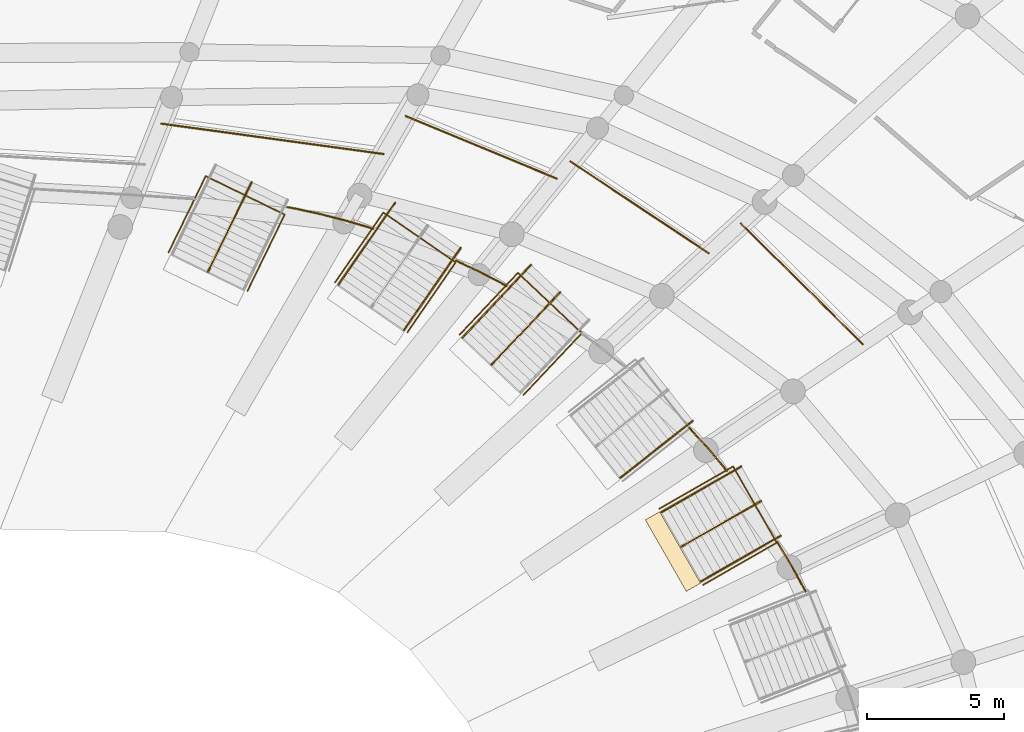
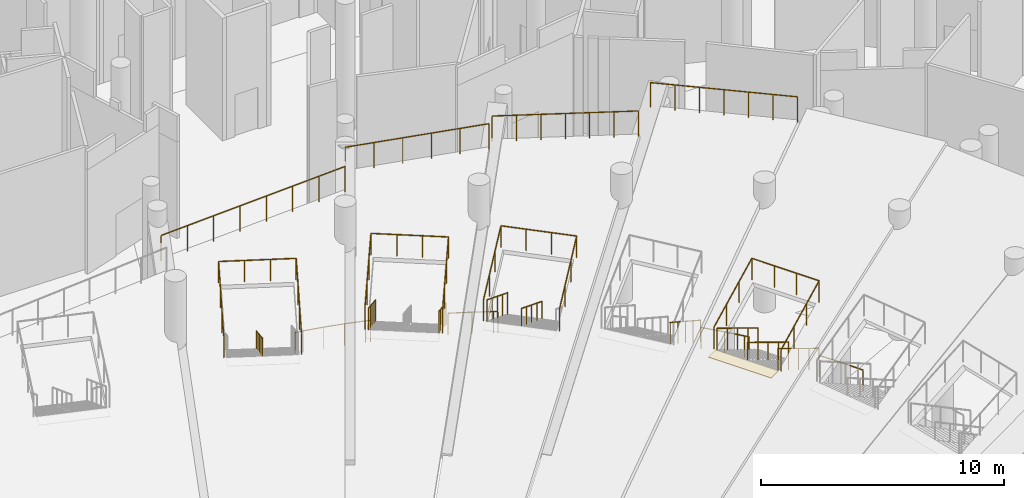
# One storey, part 241 of 255: 21 railings, 1 covering.
"""IFC4 building model written with IfcOpenShell, lengths in metres."""

from ifc_helpers import new_model, si_unit, direction, frame, origin, origin_2d, place, context, subcontext, project, spatial, rectangle, circle, extrude, material, layer, layer_set, type_object, element, save


model = new_model("IFC4")

# Units and contexts
model_context = context("Model", 3, precision=1e-05, world=origin(), true_north=direction((0.0, 1.0)))
body_context = subcontext(model_context, "Body", "Model", "MODEL_VIEW")
ifc_project = project(units=[si_unit("LENGTHUNIT", "METRE"), si_unit("AREAUNIT", "SQUARE_METRE"), si_unit("VOLUMEUNIT", "CUBIC_METRE"), si_unit("PLANEANGLEUNIT", "RADIAN"), si_unit("MASSUNIT", "GRAM", prefix="KILO")], contexts=[model_context])

# Site, building, storey
site_placement = place(None, origin())
site = spatial("IfcSite", under=ifc_project, at=site_placement, CompositionType="ELEMENT")
building_placement = place(site_placement, origin())
building = spatial("IfcBuilding", under=site, at=building_placement, Name="Meseta Stadium", CompositionType="ELEMENT")
storey_placement = place(building_placement, origin())
storey = spatial("IfcBuildingStorey", under=building, at=storey_placement, Name="L00", CompositionType="ELEMENT", Elevation=0.0)

# Railings
ifc_material_1 = material(Name="Steel S355", Category="steel")
railing_type_1 = type_object("IfcRailingType", Name="Plate edge guard 1100", PredefinedType="GUARDRAIL", material=ifc_material_1)
railing_1_placement = place(storey_placement, frame((51.01318359375, 57.727783203125, 0.0)))
element("IfcRailing", 1, at=railing_1_placement, inside=storey, type_object=railing_type_1, Name="L00 inner edge guard 12", PredefinedType="GUARDRAIL", context=body_context, shape_type="SweptSolid", body=[
    extrude(circle(Radius=0.02490234375, at=origin_2d()), frame((0.0, 0.0, 1.0751953125), z_axis=(-0.478162381039, 0.878271448562, 0.0), x_axis=(-0.878271448562, -0.478162381039, 0.0)), (0.0, 0.0, 1.0), 1.066650390625),
    extrude(circle(Radius=0.02490234375, at=origin_2d()), frame((-0.510009765625, 0.936767578125, 1.0751953125), z_axis=(-0.515642650874, 0.856803744506, 0.0), x_axis=(-0.856803744506, -0.515642650874, 0.0)), (0.0, 0.0, 1.0), 1.03271484375),
    extrude(circle(Radius=0.02001953125, at=origin_2d()), origin(), (0.0, 0.0, 1.0), 1.050048828125),
    extrude(circle(Radius=0.02001953125, at=origin_2d()), frame((-0.510009765625, 0.936767578125, 0.0)), (0.0, 0.0, 1.0), 1.050048828125),
    extrude(circle(Radius=0.02001953125, at=origin_2d()), frame((-1.04248046875, 1.821533203125, 0.0)), (0.0, 0.0, 1.0), 1.050048828125),
])
railing_2_placement = place(storey_placement, frame((48.14306640625, 62.12109375, 0.0)))
element("IfcRailing", 2, at=railing_2_placement, inside=storey, type_object=railing_type_1, Name="L00 inner edge guard 13", PredefinedType="GUARDRAIL", context=body_context, shape_type="SweptSolid", body=[
    extrude(circle(Radius=0.02490234375, at=origin_2d()), frame((0.0, 0.0, 1.0751953125), z_axis=(-0.619198945774, 0.78523414696, 0.0), x_axis=(-0.78523414696, -0.619198945774, 0.0)), (0.0, 0.0, 1.0), 0.195556640625),
    extrude(circle(Radius=0.02490234375, at=origin_2d()), frame((-0.12109375, 0.153564453125, 1.0751953125), z_axis=(-0.64414431416, 0.76490398256, 0.0), x_axis=(-0.76490398256, -0.64414431416, 0.0)), (0.0, 0.0, 1.0), 0.87744140625),
    extrude(circle(Radius=0.02490234375, at=origin_2d()), frame((-0.686279296875, 0.82470703125, 1.0751953125), z_axis=(-0.67218256461, 0.740385440047, 0.0), x_axis=(-0.740385440047, -0.67218256461, 0.0)), (0.0, 0.0, 1.0), 1.0166015625),
    extrude(circle(Radius=0.02001953125, at=origin_2d()), origin(), (0.0, 0.0, 1.0), 1.050048828125),
    extrude(circle(Radius=0.02001953125, at=origin_2d()), frame((-0.12109375, 0.153564453125, 0.0)), (0.0, 0.0, 1.0), 1.050048828125),
    extrude(circle(Radius=0.02001953125, at=origin_2d()), frame((-0.686279296875, 0.82470703125, 0.0)), (0.0, 0.0, 1.0), 1.050048828125),
    extrude(circle(Radius=0.02001953125, at=origin_2d()), frame((-1.36962890625, 1.577392578125, 0.0)), (0.0, 0.0, 1.0), 1.050048828125),
])
railing_3_placement = place(storey_placement, frame((40.119384765625, 68.85986328125, 0.0)))
element("IfcRailing", 3, at=railing_3_placement, inside=storey, type_object=railing_type_1, Name="L00 inner edge guard 15", PredefinedType="GUARDRAIL", context=body_context, shape_type="SweptSolid", body=[
    extrude(circle(Radius=0.02490234375, at=origin_2d()), frame((0.0, 0.0, 1.0751953125), z_axis=(-0.872066441359, 0.489387496628, 0.0), x_axis=(-0.489387496628, -0.872066441359, 0.0)), (0.0, 0.0, 1.0), 0.198974609375),
    extrude(circle(Radius=0.02490234375, at=origin_2d()), frame((-0.173583984375, 0.097412109375, 1.0751953125), z_axis=(-0.887171475651, 0.461439890768, 0.0), x_axis=(-0.461439890768, -0.887171475651, 0.0)), (0.0, 0.0, 1.0), 0.882080078125),
    extrude(circle(Radius=0.02490234375, at=origin_2d()), frame((-0.9560546875, 0.50439453125, 1.0751953125), z_axis=(-0.90338039609, 0.428840133337, 0.0), x_axis=(-0.428840133337, -0.90338039609, 0.0)), (0.0, 0.0, 1.0), 0.98828125),
    extrude(circle(Radius=0.02001953125, at=origin_2d()), origin(), (0.0, 0.0, 1.0), 1.050048828125),
    extrude(circle(Radius=0.02001953125, at=origin_2d()), frame((-0.173583984375, 0.097412109375, 0.0)), (0.0, 0.0, 1.0), 1.050048828125),
    extrude(circle(Radius=0.02001953125, at=origin_2d()), frame((-0.9560546875, 0.50439453125, 0.0)), (0.0, 0.0, 1.0), 1.050048828125),
    extrude(circle(Radius=0.02001953125, at=origin_2d()), frame((-1.848876953125, 0.92822265625, 0.0)), (0.0, 0.0, 1.0), 1.050048828125),
])
railing_4_placement = place(storey_placement, frame((35.254638671875, 70.9462890625, 0.0)))
element("IfcRailing", 4, at=railing_4_placement, inside=storey, type_object=railing_type_1, Name="L00 inner edge guard 16", PredefinedType="GUARDRAIL", context=body_context, shape_type="SweptSolid", body=[
    extrude(circle(Radius=0.02490234375, at=origin_2d()), frame((0.0, 0.0, 1.0751953125), z_axis=(-0.950488430053, 0.31075994648, 0.0), x_axis=(-0.31075994648, -0.950488430053, 0.0)), (0.0, 0.0, 1.0), 0.201171875),
    extrude(circle(Radius=0.02490234375, at=origin_2d()), frame((-0.191162109375, 0.0625, 1.0751953125), z_axis=(-0.960046214421, 0.279841501882, 0.0), x_axis=(-0.279841501882, -0.960046214421, 0.0)), (0.0, 0.0, 1.0), 0.88720703125),
    extrude(circle(Radius=0.02490234375, at=origin_2d()), frame((-1.04296875, 0.310791015625, 1.0751953125), z_axis=(-0.968604525516, 0.248606663526, 0.0), x_axis=(-0.248606663526, -0.968604525516, 0.0)), (0.0, 0.0, 1.0), 0.888671875),
    extrude(circle(Radius=0.02490234375, at=origin_2d()), frame((-1.90380859375, 0.53173828125, 1.0751953125), z_axis=(-0.976225779897, 0.216756145621, 0.0), x_axis=(-0.216756145621, -0.976225779897, 0.0)), (0.0, 0.0, 1.0), 0.889892578125),
    extrude(circle(Radius=0.02490234375, at=origin_2d()), frame((-2.7724609375, 0.724609375, 1.0751953125), z_axis=(-0.982708770154, 0.185157967859, 0.0), x_axis=(-0.185157967859, -0.982708770154, 0.0)), (0.0, 0.0, 1.0), 0.35595703125),
    extrude(circle(Radius=0.02001953125, at=origin_2d()), origin(), (0.0, 0.0, 1.0), 1.050048828125),
    extrude(circle(Radius=0.02001953125, at=origin_2d()), frame((-0.191162109375, 0.0625, 0.0)), (0.0, 0.0, 1.0), 1.050048828125),
    extrude(circle(Radius=0.02001953125, at=origin_2d()), frame((-1.04296875, 0.310791015625, 0.0)), (0.0, 0.0, 1.0), 1.050048828125),
    extrude(circle(Radius=0.02001953125, at=origin_2d()), frame((-1.90380859375, 0.53173828125, 0.0)), (0.0, 0.0, 1.0), 1.050048828125),
    extrude(circle(Radius=0.02001953125, at=origin_2d()), frame((-2.7724609375, 0.724609375, 0.0)), (0.0, 0.0, 1.0), 1.050048828125),
    extrude(circle(Radius=0.02001953125, at=origin_2d()), frame((-3.122314453125, 0.79052734375, 0.0)), (0.0, 0.0, 1.0), 1.050048828125),
])
ifc_material_2 = material(Name="Steel S355", Category="steel")
railing_type_2 = type_object("IfcRailingType", Name="Stand rear guard 1300", PredefinedType="GUARDRAIL", material=ifc_material_2)
railing_5_placement = place(storey_placement, frame((53.10009765625, 66.74072265625, 7.31884765625)))
element("IfcRailing", 5, at=railing_5_placement, inside=storey, type_object=railing_type_2, Name="Stand lower tier rear guard bay 13", PredefinedType="GUARDRAIL", context=body_context, shape_type="SweptSolid", body=[
    extrude(circle(Radius=0.02490234375, at=origin_2d()), frame((0.0, 0.0, 1.27490234375), z_axis=(-0.709200353402, 0.702182813761, -0.063040897776), x_axis=(-0.703582278008, -0.710613803745, 0.0)), (0.0, 0.0, 1.0), 6.26220703125),
    extrude(circle(Radius=0.02001953125, at=origin_2d()), origin(), (0.0, 0.0, 1.0), 1.25),
    extrude(circle(Radius=0.02001953125, at=origin_2d()), frame((-0.740234375, 0.73291015625, -0.06591796875)), (0.0, 0.0, 1.0), 1.25),
    extrude(circle(Radius=0.02001953125, at=origin_2d()), frame((-1.48046875, 1.4658203125, -0.131591796875)), (0.0, 0.0, 1.0), 1.25),
    extrude(circle(Radius=0.02001953125, at=origin_2d()), frame((-2.220703125, 2.19873046875, -0.197265625)), (0.0, 0.0, 1.0), 1.25),
    extrude(circle(Radius=0.02001953125, at=origin_2d()), frame((-2.960693359375, 2.931396484375, -0.26318359375)), (0.0, 0.0, 1.0), 1.25),
    extrude(circle(Radius=0.02001953125, at=origin_2d()), frame((-3.700927734375, 3.664306640625, -0.3291015625)), (0.0, 0.0, 1.0), 1.25),
    extrude(circle(Radius=0.02001953125, at=origin_2d()), frame((-4.441162109375, 4.397216796875, -0.394775390625)), (0.0, 0.0, 1.0), 1.25),
])
railing_6_placement = place(storey_placement, frame((47.478759765625, 70.0576171875, 6.56689453125)))
element("IfcRailing", 6, at=railing_6_placement, inside=storey, type_object=railing_type_2, Name="Stand lower tier rear guard bay 14", PredefinedType="GUARDRAIL", context=body_context, shape_type="SweptSolid", body=[
    extrude(circle(Radius=0.02490234375, at=origin_2d()), frame((0.0, 0.0, 1.27490234375), z_axis=(-0.829949257802, 0.551191978822, -0.085858208435), x_axis=(-0.553234872584, -0.833025315196, 0.0)), (0.0, 0.0, 1.0), 6.0625),
    extrude(circle(Radius=0.02001953125, at=origin_2d()), origin(), (0.0, 0.0, 1.0), 1.25),
    extrude(circle(Radius=0.02001953125, at=origin_2d()), frame((-0.838623046875, 0.556884765625, -0.086669921875)), (0.0, 0.0, 1.0), 1.25),
    extrude(circle(Radius=0.02001953125, at=origin_2d()), frame((-1.67724609375, 1.11376953125, -0.173583984375)), (0.0, 0.0, 1.0), 1.25),
    extrude(circle(Radius=0.02001953125, at=origin_2d()), frame((-2.515625, 1.6708984375, -0.26025390625)), (0.0, 0.0, 1.0), 1.25),
    extrude(circle(Radius=0.02001953125, at=origin_2d()), frame((-3.354248046875, 2.227783203125, -0.346923828125)), (0.0, 0.0, 1.0), 1.25),
    extrude(circle(Radius=0.02001953125, at=origin_2d()), frame((-4.19287109375, 2.78466796875, -0.433837890625)), (0.0, 0.0, 1.0), 1.25),
    extrude(circle(Radius=0.02001953125, at=origin_2d()), frame((-5.031494140625, 3.341552734375, -0.5205078125)), (0.0, 0.0, 1.0), 1.25),
])
railing_7_placement = place(storey_placement, frame((41.94482421875, 72.776611328125, 6.21728515625)))
element("IfcRailing", 7, at=railing_7_placement, inside=storey, type_object=railing_type_2, Name="Stand lower tier rear guard bay 15", PredefinedType="GUARDRAIL", context=body_context, shape_type="SweptSolid", body=[
    extrude(circle(Radius=0.02490234375, at=origin_2d()), frame((0.0, 0.0, 1.27490234375), z_axis=(-0.918705190478, 0.380326600198, -0.106453981467), x_axis=(-0.382500107236, -0.923955446958, 0.0)), (0.0, 0.0, 1.0), 5.994873046875),
    extrude(circle(Radius=0.02001953125, at=origin_2d()), origin(), (0.0, 0.0, 1.0), 1.25),
    extrude(circle(Radius=0.02001953125, at=origin_2d()), frame((-1.1015625, 0.4560546875, -0.127685546875)), (0.0, 0.0, 1.0), 1.25),
    extrude(circle(Radius=0.02001953125, at=origin_2d()), frame((-2.203125, 0.912109375, -0.25537109375)), (0.0, 0.0, 1.0), 1.25),
    extrude(circle(Radius=0.02001953125, at=origin_2d()), frame((-3.304443359375, 1.367919921875, -0.3828125)), (0.0, 0.0, 1.0), 1.25),
    extrude(circle(Radius=0.02001953125, at=origin_2d()), frame((-4.406005859375, 1.823974609375, -0.510498046875)), (0.0, 0.0, 1.0), 1.25),
    extrude(circle(Radius=0.02001953125, at=origin_2d()), frame((-5.507568359375, 2.280029296875, -0.63818359375)), (0.0, 0.0, 1.0), 1.25),
])
railing_8_placement = place(storey_placement, frame((35.636474609375, 73.67138671875, 5.738525390625)))
element("IfcRailing", 8, at=railing_8_placement, inside=storey, type_object=railing_type_2, Name="Stand lower tier rear guard bay 16", PredefinedType="GUARDRAIL", context=body_context, shape_type="SweptSolid", body=[
    extrude(circle(Radius=0.02490234375, at=origin_2d()), frame((0.0, 0.0, 1.27490234375), z_axis=(-0.978469998435, 0.133688963912, -0.157237791549), x_axis=(-0.135372898361, -0.99079472061, 0.0)), (0.0, 0.0, 1.0), 8.28369140625),
    extrude(circle(Radius=0.02001953125, at=origin_2d()), origin(), (0.0, 0.0, 1.0), 1.25),
    extrude(circle(Radius=0.02001953125, at=origin_2d()), frame((-1.157958984375, 0.158203125, -0.18603515625)), (0.0, 0.0, 1.0), 1.25),
    extrude(circle(Radius=0.02001953125, at=origin_2d()), frame((-2.315673828125, 0.31640625, -0.3720703125)), (0.0, 0.0, 1.0), 1.25),
    extrude(circle(Radius=0.02001953125, at=origin_2d()), frame((-3.4736328125, 0.474609375, -0.55810546875)), (0.0, 0.0, 1.0), 1.25),
    extrude(circle(Radius=0.02001953125, at=origin_2d()), frame((-4.631591796875, 0.6328125, -0.744384765625)), (0.0, 0.0, 1.0), 1.25),
    extrude(circle(Radius=0.02001953125, at=origin_2d()), frame((-5.78955078125, 0.791015625, -0.930419921875)), (0.0, 0.0, 1.0), 1.25),
    extrude(circle(Radius=0.02001953125, at=origin_2d()), frame((-6.947265625, 0.94921875, -1.116455078125)), (0.0, 0.0, 1.0), 1.25),
    extrude(circle(Radius=0.02001953125, at=origin_2d()), frame((-8.105224609375, 1.107421875, -1.302490234375)), (0.0, 0.0, 1.0), 1.25),
])

# Covering
ifc_material_3 = material(Name="Stone paving", Category="masonry")
ifc_layer = layer(ifc_material_3, 0.02001953125)
ifc_layer_set = layer_set([ifc_layer], Name="Vomitory exit threshold plate 20")
covering_type = type_object("IfcCoveringType", Name="Vomitory exit threshold plate 20", PredefinedType="FLOORING", material=ifc_layer_set)
covering_placement = place(storey_placement, frame((46.180908203125, 59.187744140625, 2.168212890625), z_axis=(0.0, 0.0, 1.0), x_axis=(-0.867711670531, -0.497067859376, 0.0)))
element("IfcCovering", 9, at=covering_placement, inside=storey, type_object=covering_type, Name="Vomitory V-lower-12 exit threshold", PredefinedType="FLOORING", context=body_context, shape_type="SweptSolid", body=[
    extrude(rectangle(XDim=0.60009765625, YDim=3.0, at=origin_2d()), origin(), (0.0, 0.0, 1.0), 0.02001953125),
])

# Railings
ifc_material_4 = material(Name="Steel S355", Category="steel")
railing_type_3 = type_object("IfcRailingType", Name="Vomitory slot guard 1100", PredefinedType="GUARDRAIL", material=ifc_material_4)
railing_9_placement = place(storey_placement, frame((45.681396484375, 60.745849609375, 2.188232421875)))
element("IfcRailing", 10, at=railing_9_placement, inside=storey, type_object=railing_type_3, Name="Vomitory V-lower-12 slot guard", PredefinedType="GUARDRAIL", context=body_context, shape_type="SweptSolid", body=[
    extrude(circle(Radius=0.02490234375, at=origin_2d()), frame((0.0, 0.0, 1.0751953125), z_axis=(0.773000537129, 0.442766962227, 0.454343027632), x_axis=(-0.49702922619, 0.867733800375, 0.0)), (0.0, 0.0, 1.0), 3.47998046875),
    extrude(circle(Radius=0.02490234375, at=origin_2d()), frame((2.68994140625, 1.540771484375, 2.65625), z_axis=(0.497124557531, -0.867679188583, 0.0), x_axis=(0.867679188583, 0.497124557531, 0.0)), (0.0, 0.0, 1.0), 3.199951171875),
    extrude(circle(Radius=0.02490234375, at=origin_2d()), frame((4.28076171875, -1.23583984375, 2.65625), z_axis=(-0.772976524141, -0.442823363621, -0.454328913627), x_axis=(0.497088522993, -0.867699833069, 0.0)), (0.0, 0.0, 1.0), 3.47998046875),
    extrude(circle(Radius=0.02001953125, at=origin_2d()), origin(), (0.0, 0.0, 1.0), 1.050048828125),
    extrude(circle(Radius=0.02001953125, at=origin_2d()), frame((0.896728515625, 0.513671875, 0.527099609375)), (0.0, 0.0, 1.0), 1.050048828125),
    extrude(circle(Radius=0.02001953125, at=origin_2d()), frame((1.793212890625, 1.027099609375, 1.053955078125)), (0.0, 0.0, 1.0), 1.050048828125),
    extrude(circle(Radius=0.02001953125, at=origin_2d()), frame((2.68994140625, 1.540771484375, 1.5810546875)), (0.0, 0.0, 1.0), 1.050048828125),
    extrude(circle(Radius=0.02001953125, at=origin_2d()), frame((3.22021484375, 0.615234375, 1.5810546875)), (0.0, 0.0, 1.0), 1.050048828125),
    extrude(circle(Radius=0.02001953125, at=origin_2d()), frame((3.75048828125, -0.310302734375, 1.5810546875)), (0.0, 0.0, 1.0), 1.050048828125),
    extrude(circle(Radius=0.02001953125, at=origin_2d()), frame((4.28076171875, -1.23583984375, 1.5810546875)), (0.0, 0.0, 1.0), 1.050048828125),
    extrude(circle(Radius=0.02001953125, at=origin_2d()), frame((3.384033203125, -1.74951171875, 1.053955078125)), (0.0, 0.0, 1.0), 1.050048828125),
    extrude(circle(Radius=0.02001953125, at=origin_2d()), frame((2.487548828125, -2.26318359375, 0.527099609375)), (0.0, 0.0, 1.0), 1.050048828125),
    extrude(circle(Radius=0.02001953125, at=origin_2d()), frame((1.5908203125, -2.77685546875, 0.0)), (0.0, 0.0, 1.0), 1.050048828125),
])
railing_10_placement = place(storey_placement, frame((38.404541015625, 67.0849609375, 2.2890625)))
element("IfcRailing", 11, at=railing_10_placement, inside=storey, type_object=railing_type_3, Name="Vomitory V-lower-14 slot guard", PredefinedType="GUARDRAIL", context=body_context, shape_type="SweptSolid", body=[
    extrude(circle(Radius=0.02490234375, at=origin_2d()), frame((0.0, 0.0, 1.0751953125), z_axis=(0.611194378276, 0.648096150885, 0.454326766955), x_axis=(-0.727515277966, 0.686091481018, 0.0)), (0.0, 0.0, 1.0), 3.47998046875),
    extrude(circle(Radius=0.02490234375, at=origin_2d()), frame((2.126953125, 2.25537109375, 2.65625), z_axis=(0.727554587562, -0.686049795654, 0.0), x_axis=(0.686049795654, 0.727554587562, 0.0)), (0.0, 0.0, 1.0), 3.199951171875),
    extrude(circle(Radius=0.02490234375, at=origin_2d()), frame((4.455078125, 0.06005859375, 2.65625), z_axis=(-0.611194378276, -0.648096150885, -0.454326766955), x_axis=(0.727515277966, -0.686091481018, 0.0)), (0.0, 0.0, 1.0), 3.47998046875),
    extrude(circle(Radius=0.02001953125, at=origin_2d()), origin(), (0.0, 0.0, 1.0), 1.050048828125),
    extrude(circle(Radius=0.02001953125, at=origin_2d()), frame((0.708984375, 0.751708984375, 0.527099609375)), (0.0, 0.0, 1.0), 1.050048828125),
    extrude(circle(Radius=0.02001953125, at=origin_2d()), frame((1.41796875, 1.503662109375, 1.053955078125)), (0.0, 0.0, 1.0), 1.050048828125),
    extrude(circle(Radius=0.02001953125, at=origin_2d()), frame((2.126953125, 2.25537109375, 1.5810546875)), (0.0, 0.0, 1.0), 1.050048828125),
    extrude(circle(Radius=0.02001953125, at=origin_2d()), frame((2.903076171875, 1.523681640625, 1.5810546875)), (0.0, 0.0, 1.0), 1.050048828125),
    extrude(circle(Radius=0.02001953125, at=origin_2d()), frame((3.678955078125, 0.791748046875, 1.5810546875)), (0.0, 0.0, 1.0), 1.050048828125),
    extrude(circle(Radius=0.02001953125, at=origin_2d()), frame((4.455078125, 0.06005859375, 1.5810546875)), (0.0, 0.0, 1.0), 1.050048828125),
    extrude(circle(Radius=0.02001953125, at=origin_2d()), frame((3.74609375, -0.691650390625, 1.053955078125)), (0.0, 0.0, 1.0), 1.050048828125),
    extrude(circle(Radius=0.02001953125, at=origin_2d()), frame((3.037109375, -1.443603515625, 0.527099609375)), (0.0, 0.0, 1.0), 1.050048828125),
    extrude(circle(Radius=0.02001953125, at=origin_2d()), frame((2.328125, -2.1953125, 0.0)), (0.0, 0.0, 1.0), 1.050048828125),
])
railing_11_placement = place(storey_placement, frame((33.867919921875, 68.9892578125, 2.2880859375)))
element("IfcRailing", 12, at=railing_11_placement, inside=storey, type_object=railing_type_3, Name="Vomitory V-lower-15 slot guard", PredefinedType="GUARDRAIL", context=body_context, shape_type="SweptSolid", body=[
    extrude(circle(Radius=0.02490234375, at=origin_2d()), frame((0.0, 0.0, 1.0751953125), z_axis=(0.505913025585, 0.733226602466, 0.454346519718), x_axis=(-0.823087110293, 0.567915142314, 0.0)), (0.0, 0.0, 1.0), 3.479736328125),
    extrude(circle(Radius=0.02490234375, at=origin_2d()), frame((1.760498046875, 2.551513671875, 2.65625), z_axis=(0.823070129535, -0.56793975197, 0.0), x_axis=(0.56793975197, 0.823070129535, 0.0)), (0.0, 0.0, 1.0), 3.199951171875),
    extrude(circle(Radius=0.02490234375, at=origin_2d()), frame((4.394287109375, 0.734130859375, 2.65625), z_axis=(-0.505913025585, -0.733226602466, -0.454346519718), x_axis=(0.823087110293, -0.567915142314, 0.0)), (0.0, 0.0, 1.0), 3.479736328125),
    extrude(circle(Radius=0.02001953125, at=origin_2d()), origin(), (0.0, 0.0, 1.0), 1.050048828125),
    extrude(circle(Radius=0.02001953125, at=origin_2d()), frame((0.5869140625, 0.8505859375, 0.527099609375)), (0.0, 0.0, 1.0), 1.050048828125),
    extrude(circle(Radius=0.02001953125, at=origin_2d()), frame((1.173583984375, 1.700927734375, 1.053955078125)), (0.0, 0.0, 1.0), 1.050048828125),
    extrude(circle(Radius=0.02001953125, at=origin_2d()), frame((1.760498046875, 2.551513671875, 1.5810546875)), (0.0, 0.0, 1.0), 1.050048828125),
    extrude(circle(Radius=0.02001953125, at=origin_2d()), frame((2.638427734375, 1.94580078125, 1.5810546875)), (0.0, 0.0, 1.0), 1.050048828125),
    extrude(circle(Radius=0.02001953125, at=origin_2d()), frame((3.516357421875, 1.33984375, 1.5810546875)), (0.0, 0.0, 1.0), 1.050048828125),
    extrude(circle(Radius=0.02001953125, at=origin_2d()), frame((4.394287109375, 0.734130859375, 1.5810546875)), (0.0, 0.0, 1.0), 1.050048828125),
    extrude(circle(Radius=0.02001953125, at=origin_2d()), frame((3.807373046875, -0.116455078125, 1.053955078125)), (0.0, 0.0, 1.0), 1.050048828125),
    extrude(circle(Radius=0.02001953125, at=origin_2d()), frame((3.220703125, -0.966796875, 0.527099609375)), (0.0, 0.0, 1.0), 1.050048828125),
    extrude(circle(Radius=0.02001953125, at=origin_2d()), frame((2.6337890625, -1.8173828125, 0.0)), (0.0, 0.0, 1.0), 1.050048828125),
])
railing_12_placement = place(storey_placement, frame((27.79833984375, 70.07861328125, 2.3408203125)))
element("IfcRailing", 13, at=railing_12_placement, inside=storey, type_object=railing_type_3, Name="Vomitory V-lower-16 slot guard", PredefinedType="GUARDRAIL", context=body_context, shape_type="SweptSolid", body=[
    extrude(circle(Radius=0.02490234375, at=origin_2d()), frame((0.0, 0.0, 1.0751953125), z_axis=(0.390159093571, 0.800875032028, 0.454285224037), x_axis=(-0.898994639312, 0.437959631118, 0.0)), (0.0, 0.0, 1.0), 3.479736328125),
    extrude(circle(Radius=0.02490234375, at=origin_2d()), frame((1.357666015625, 2.786865234375, 2.65576171875), z_axis=(0.899017594614, -0.437912507899, 0.0), x_axis=(0.437912507899, 0.899017594614, 0.0)), (0.0, 0.0, 1.0), 3.2001953125),
    extrude(circle(Radius=0.02490234375, at=origin_2d()), frame((4.234619140625, 1.385498046875, 2.65576171875), z_axis=(-0.390159093571, -0.800875032028, -0.454285224037), x_axis=(0.898994639312, -0.437959631118, 0.0)), (0.0, 0.0, 1.0), 3.479736328125),
    extrude(circle(Radius=0.02001953125, at=origin_2d()), origin(), (0.0, 0.0, 1.0), 1.050048828125),
    extrude(circle(Radius=0.02001953125, at=origin_2d()), frame((0.45263671875, 0.928955078125, 0.52685546875)), (0.0, 0.0, 1.0), 1.050048828125),
    extrude(circle(Radius=0.02001953125, at=origin_2d()), frame((0.905029296875, 1.85791015625, 1.053955078125)), (0.0, 0.0, 1.0), 1.050048828125),
    extrude(circle(Radius=0.02001953125, at=origin_2d()), frame((1.357666015625, 2.786865234375, 1.580810546875)), (0.0, 0.0, 1.0), 1.050048828125),
    extrude(circle(Radius=0.02001953125, at=origin_2d()), frame((2.316650390625, 2.31982421875, 1.580810546875)), (0.0, 0.0, 1.0), 1.050048828125),
    extrude(circle(Radius=0.02001953125, at=origin_2d()), frame((3.275634765625, 1.8525390625, 1.580810546875)), (0.0, 0.0, 1.0), 1.050048828125),
    extrude(circle(Radius=0.02001953125, at=origin_2d()), frame((4.234619140625, 1.385498046875, 1.580810546875)), (0.0, 0.0, 1.0), 1.050048828125),
    extrude(circle(Radius=0.02001953125, at=origin_2d()), frame((3.781982421875, 0.45654296875, 1.053955078125)), (0.0, 0.0, 1.0), 1.050048828125),
    extrude(circle(Radius=0.02001953125, at=origin_2d()), frame((3.32958984375, -0.472412109375, 0.52685546875)), (0.0, 0.0, 1.0), 1.050048828125),
    extrude(circle(Radius=0.02001953125, at=origin_2d()), frame((2.876953125, -1.4013671875, 0.0)), (0.0, 0.0, 1.0), 1.050048828125),
])
ifc_material_5 = material(Name="Steel S355", Category="steel")
railing_type_4 = type_object("IfcRailingType", Name="Vomitory stair guard 1100", PredefinedType="GUARDRAIL", material=ifc_material_5)
for number, where, name in (
    (14, (50.113037109375, 59.769287109375, 0.168212890625), "Vomitory V-lower-12 guard left"),
    (15, (48.671630859375, 62.28564453125, 0.168212890625), "Vomitory V-lower-12 guard right"),
):
    element("IfcRailing", number, at=place(storey_placement, frame(where)), inside=storey, type_object=railing_type_4, Name=name, PredefinedType="GUARDRAIL", context=body_context, shape_type="SweptSolid", body=[
        extrude(circle(Radius=0.02490234375, at=origin_2d()), frame((0.0, 0.0, 1.0751953125), z_axis=(-0.743664228434, -0.426009628765, 0.515246845257), x_axis=(0.497069824049, -0.867710545066, 0.0)), (0.0, 0.0, 1.0), 3.92041015625),
        extrude(circle(Radius=0.02001953125, at=origin_2d()), origin(), (0.0, 0.0, 1.0), 1.050048828125),
        extrude(circle(Radius=0.02001953125, at=origin_2d()), frame((-0.72900390625, -0.41748046875, 0.5048828125)), (0.0, 0.0, 1.0), 1.050048828125),
        extrude(circle(Radius=0.02001953125, at=origin_2d()), frame((-1.457763671875, -0.8349609375, 1.010009765625)), (0.0, 0.0, 1.0), 1.050048828125),
        extrude(circle(Radius=0.02001953125, at=origin_2d()), frame((-2.1865234375, -1.252685546875, 1.51513671875)), (0.0, 0.0, 1.0), 1.050048828125),
        extrude(circle(Radius=0.02001953125, at=origin_2d()), frame((-2.91552734375, -1.670166015625, 2.02001953125)), (0.0, 0.0, 1.0), 1.050048828125),
    ])
railing_13_placement = place(storey_placement, frame((46.898193359375, 63.949462890625, 0.172119140625)))
element("IfcRailing", 16, at=railing_13_placement, inside=storey, type_object=railing_type_4, Name="Vomitory V-lower-13 guard left", PredefinedType="GUARDRAIL", context=body_context, shape_type="SweptSolid", body=[
    extrude(circle(Radius=0.02490234375, at=origin_2d()), frame((0.0, 0.0, 1.0751953125), z_axis=(-0.669603580808, -0.526448660537, 0.523911111151), x_axis=(0.61806220124, -0.78612919765, 0.0)), (0.0, 0.0, 1.0), 3.944580078125),
    extrude(circle(Radius=0.02001953125, at=origin_2d()), origin(), (0.0, 0.0, 1.0), 1.050048828125),
    extrude(circle(Radius=0.02001953125, at=origin_2d()), frame((-0.660400390625, -0.51904296875, 0.5166015625)), (0.0, 0.0, 1.0), 1.050048828125),
    extrude(circle(Radius=0.02001953125, at=origin_2d()), frame((-1.32080078125, -1.038330078125, 1.033203125)), (0.0, 0.0, 1.0), 1.050048828125),
    extrude(circle(Radius=0.02001953125, at=origin_2d()), frame((-1.98095703125, -1.5576171875, 1.550048828125)), (0.0, 0.0, 1.0), 1.050048828125),
    extrude(circle(Radius=0.02001953125, at=origin_2d()), frame((-2.641357421875, -2.07666015625, 2.066650390625)), (0.0, 0.0, 1.0), 1.050048828125),
])
railing_14_placement = place(storey_placement, frame((41.010986328125, 69.63037109375, 0.16357421875)))
element("IfcRailing", 17, at=railing_14_placement, inside=storey, type_object=railing_type_4, Name="Vomitory V-lower-14 guard right", PredefinedType="GUARDRAIL", context=body_context, shape_type="SweptSolid", body=[
    extrude(circle(Radius=0.02490234375, at=origin_2d()), frame((0.0, 0.0, 1.0751953125), z_axis=(-0.592466279846, -0.628260996919, 0.504253732754), x_axis=(0.727528186472, -0.686077792885, 0.0)), (0.0, 0.0, 1.0), 4.215087890625),
    extrude(circle(Radius=0.02001953125, at=origin_2d()), origin(), (0.0, 0.0, 1.0), 1.050048828125),
    extrude(circle(Radius=0.02001953125, at=origin_2d()), frame((-0.624267578125, -0.662109375, 0.53125)), (0.0, 0.0, 1.0), 1.050048828125),
    extrude(circle(Radius=0.02001953125, at=origin_2d()), frame((-1.24853515625, -1.32421875, 1.062744140625)), (0.0, 0.0, 1.0), 1.050048828125),
    extrude(circle(Radius=0.02001953125, at=origin_2d()), frame((-1.873046875, -1.986083984375, 1.59423828125)), (0.0, 0.0, 1.0), 1.050048828125),
    extrude(circle(Radius=0.02001953125, at=origin_2d()), frame((-2.497314453125, -2.648193359375, 2.12548828125)), (0.0, 0.0, 1.0), 1.050048828125),
])
for number, where, name in (
    (18, (38.445556640625, 70.253173828125, 0.163330078125), "Vomitory V-lower-15 guard left"),
    (19, (36.05859375, 71.900146484375, 0.163330078125), "Vomitory V-lower-15 guard right"),
):
    element("IfcRailing", number, at=place(storey_placement, frame(where)), inside=storey, type_object=railing_type_4, Name=name, PredefinedType="GUARDRAIL", context=body_context, shape_type="SweptSolid", body=[
        extrude(circle(Radius=0.02490234375, at=origin_2d()), frame((0.0, 0.0, 1.0751953125), z_axis=(-0.490451930686, -0.710856985164, 0.504122257324), x_axis=(0.823101434641, -0.567894381283, 0.0)), (0.0, 0.0, 1.0), 4.21484375),
        extrude(circle(Radius=0.02001953125, at=origin_2d()), origin(), (0.0, 0.0, 1.0), 1.050048828125),
        extrude(circle(Radius=0.02001953125, at=origin_2d()), frame((-0.516845703125, -0.7490234375, 0.53125)), (0.0, 0.0, 1.0), 1.050048828125),
        extrude(circle(Radius=0.02001953125, at=origin_2d()), frame((-1.03369140625, -1.498046875, 1.0625)), (0.0, 0.0, 1.0), 1.050048828125),
        extrude(circle(Radius=0.02001953125, at=origin_2d()), frame((-1.55029296875, -2.2470703125, 1.593505859375)), (0.0, 0.0, 1.0), 1.050048828125),
        extrude(circle(Radius=0.02001953125, at=origin_2d()), frame((-2.067138671875, -2.99609375, 2.124755859375)), (0.0, 0.0, 1.0), 1.050048828125),
    ])
ifc_material_6 = material(Name="Steel S355", Category="steel")
railing_type_5 = type_object("IfcRailingType", Name="Vomitory stair handrail 900", PredefinedType="HANDRAIL", material=ifc_material_6)
railing_15_placement = place(storey_placement, frame((49.392333984375, 61.027587890625, 0.168212890625)))
element("IfcRailing", 20, at=railing_15_placement, inside=storey, type_object=railing_type_5, Name="Vomitory V-lower-12 central handrail", PredefinedType="HANDRAIL", context=body_context, shape_type="SweptSolid", body=[
    extrude(circle(Radius=0.02490234375, at=origin_2d()), frame((0.0, 0.0, 0.875), z_axis=(-0.743664228434, -0.426009628765, 0.515246845257), x_axis=(0.497069824049, -0.867710545066, 0.0)), (0.0, 0.0, 1.0), 3.92041015625),
    extrude(circle(Radius=0.02001953125, at=origin_2d()), origin(), (0.0, 0.0, 1.0), 0.849853515625),
    extrude(circle(Radius=0.02001953125, at=origin_2d()), frame((-0.72900390625, -0.41748046875, 0.5048828125)), (0.0, 0.0, 1.0), 0.849853515625),
    extrude(circle(Radius=0.02001953125, at=origin_2d()), frame((-1.457763671875, -0.8349609375, 1.010009765625)), (0.0, 0.0, 1.0), 0.849853515625),
    extrude(circle(Radius=0.02001953125, at=origin_2d()), frame((-2.1865234375, -1.252685546875, 1.51513671875)), (0.0, 0.0, 1.0), 0.849853515625),
    extrude(circle(Radius=0.02001953125, at=origin_2d()), frame((-2.91552734375, -1.670166015625, 2.02001953125)), (0.0, 0.0, 1.0), 0.849853515625),
])
railing_16_placement = place(storey_placement, frame((42.06591796875, 68.635498046875, 0.16357421875)))
element("IfcRailing", 21, at=railing_16_placement, inside=storey, type_object=railing_type_5, Name="Vomitory V-lower-14 central handrail", PredefinedType="HANDRAIL", context=body_context, shape_type="SweptSolid", body=[
    extrude(circle(Radius=0.02490234375, at=origin_2d()), frame((0.0, 0.0, 0.875), z_axis=(-0.592466279846, -0.628260996919, 0.504253732754), x_axis=(0.727528186472, -0.686077792885, 0.0)), (0.0, 0.0, 1.0), 4.215087890625),
    extrude(circle(Radius=0.02001953125, at=origin_2d()), origin(), (0.0, 0.0, 1.0), 0.849853515625),
    extrude(circle(Radius=0.02001953125, at=origin_2d()), frame((-0.624267578125, -0.662109375, 0.53125)), (0.0, 0.0, 1.0), 0.849853515625),
    extrude(circle(Radius=0.02001953125, at=origin_2d()), frame((-1.24853515625, -1.32421875, 1.062744140625)), (0.0, 0.0, 1.0), 0.849853515625),
    extrude(circle(Radius=0.02001953125, at=origin_2d()), frame((-1.873046875, -1.986083984375, 1.59423828125)), (0.0, 0.0, 1.0), 0.849853515625),
    extrude(circle(Radius=0.02001953125, at=origin_2d()), frame((-2.497314453125, -2.648193359375, 2.12548828125)), (0.0, 0.0, 1.0), 0.849853515625),
])
railing_17_placement = place(storey_placement, frame((30.8310546875, 72.650390625, 0.167236328125)))
element("IfcRailing", 22, at=railing_17_placement, inside=storey, type_object=railing_type_5, Name="Vomitory V-lower-16 central handrail", PredefinedType="HANDRAIL", context=body_context, shape_type="SweptSolid", body=[
    extrude(circle(Radius=0.02490234375, at=origin_2d()), frame((0.0, 0.0, 0.875), z_axis=(-0.37602612148, -0.771861276005, 0.512673898857), x_axis=(0.898993931431, -0.437961084172, 0.0)), (0.0, 0.0, 1.0), 4.23974609375),
    extrude(circle(Radius=0.02001953125, at=origin_2d()), origin(), (0.0, 0.0, 1.0), 0.849853515625),
    extrude(circle(Radius=0.02001953125, at=origin_2d()), frame((-0.3984375, -0.818115234375, 0.54345703125)), (0.0, 0.0, 1.0), 0.849853515625),
    extrude(circle(Radius=0.02001953125, at=origin_2d()), frame((-0.797119140625, -1.63623046875, 1.0869140625)), (0.0, 0.0, 1.0), 0.849853515625),
    extrude(circle(Radius=0.02001953125, at=origin_2d()), frame((-1.19580078125, -2.454345703125, 1.630126953125)), (0.0, 0.0, 1.0), 0.849853515625),
    extrude(circle(Radius=0.02001953125, at=origin_2d()), frame((-1.59423828125, -3.2724609375, 2.173583984375)), (0.0, 0.0, 1.0), 0.849853515625),
])

save(model, "model.ifc")
